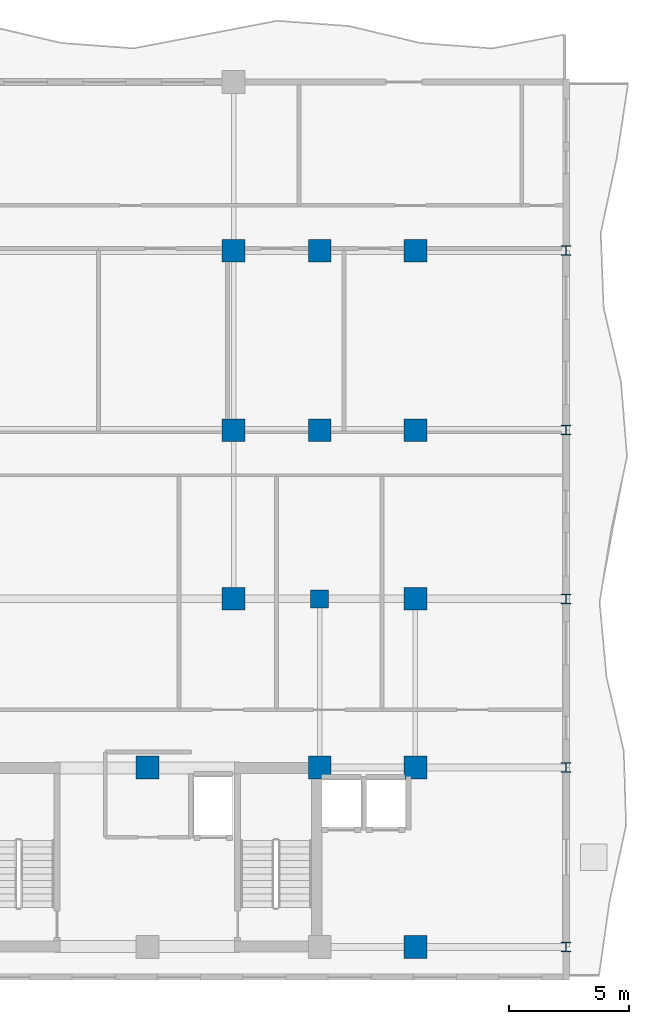
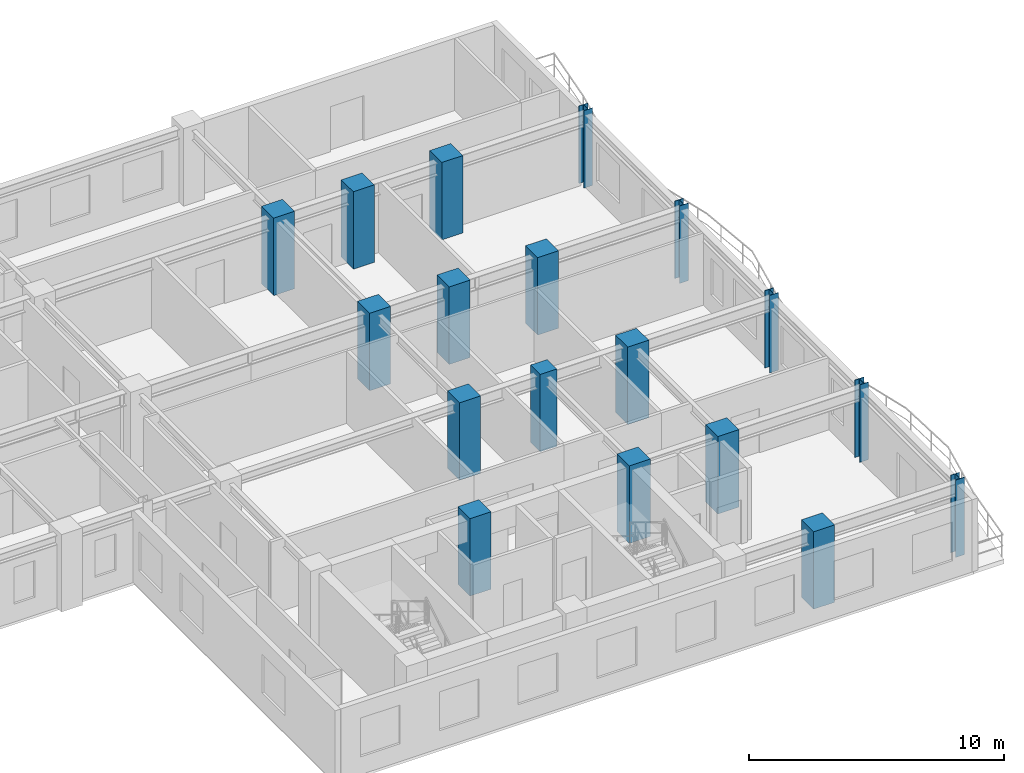
# One storey, part 2 of 13: 18 columns.
"""IFC4 building model written with IfcOpenShell, lengths in metres."""

from ifc_helpers import new_model, si_unit, direction, frame, origin, origin_2d, place, context, subcontext, project, spatial, rectangle, i_section, extrude, source, transform, mapped, material, material_profile, profile_set, type_object, element, save


model = new_model("IFC4")

# Units and contexts
model_context = context("Model", 3, precision=1e-05, world=origin(), true_north=direction((0.0, 1.0)))
body_context = subcontext(model_context, "Body", "Model", "MODEL_VIEW")
ifc_project = project(units=[si_unit("LENGTHUNIT", "METRE"), si_unit("AREAUNIT", "SQUARE_METRE"), si_unit("VOLUMEUNIT", "CUBIC_METRE"), si_unit("PLANEANGLEUNIT", "RADIAN"), si_unit("MASSUNIT", "GRAM", prefix="KILO")], contexts=[model_context])

# Site, building, storey
site_placement = place(None, origin())
site = spatial("IfcSite", under=ifc_project, at=site_placement, CompositionType="ELEMENT")
building_placement = place(site_placement, origin())
building = spatial("IfcBuilding", under=site, at=building_placement, Name="Kaliganga Portal Commons", CompositionType="ELEMENT")
storey_placement = place(building_placement, frame((0.0, 0.0, 209.199951171875)))
storey = spatial("IfcBuildingStorey", under=building, at=storey_placement, Name="L53", CompositionType="ELEMENT", Elevation=209.199951171875)

# Columns
ifc_material_1 = material(Name="Concrete C60/75", Category="concrete")
ifc_material_profile_1 = material_profile(ifc_material_1, rectangle(XDim=0.75, YDim=0.75, at=origin_2d()), Name="RC 750x750")
ifc_profile_set_1 = profile_set([ifc_material_profile_1], Name="Concrete C60/75")
column_type_1 = type_object("IfcColumnType", Name="COL-PILASTER-RC", PredefinedType="PILASTER", material=ifc_profile_set_1)
shared_shape_1 = source(origin(), body_context, "Body", "SweptSolid", [
    extrude(rectangle(XDim=0.75, YDim=0.75, at=origin_2d()), origin(), (0.0, 0.0, 1.0), 3.699951171875),
])
column_placement = place(storey_placement, frame((50.39990234375, 21.60009765625, 0.0), z_axis=(0.0, 0.0, 1.0), x_axis=(1.0, 0.0, 0.0)))
element("IfcColumn", 1, at=column_placement, inside=storey, type_object=column_type_1, Name="Column CP-01 L53", PredefinedType="PILASTER", context=body_context, shape_type="MappedRepresentation", body=[
    mapped(shared_shape_1, transform((0.0, 0.0, 0.0), x_axis=(1.0, 0.0, 0.0), y_axis=(0.0, 1.0, 0.0), z_axis=(0.0, 0.0, 1.0), scale=1.0)),
])
ifc_material_2 = material(Name="Concrete C50/60", Category="concrete")
ifc_material_profile_2 = material_profile(ifc_material_2, rectangle(XDim=0.949951171875, YDim=0.949951171875, at=origin_2d()), Name="RC 950x950")
ifc_profile_set_2 = profile_set([ifc_material_profile_2], Name="Concrete C50/60")
column_type_2 = type_object("IfcColumnType", Name="COL-MEGA-Z4", PredefinedType="COLUMN", material=ifc_profile_set_2)
shared_shape_2 = source(origin(), body_context, "Body", "SweptSolid", [
    extrude(rectangle(XDim=0.949951171875, YDim=0.949951171875, at=origin_2d()), origin(), (0.0, 0.0, 1.0), 3.699951171875),
])
for number, where, z_axis, x_axis, name in (
    (2, (46.800048828125, 21.60009765625, 0.0), (0.0, 0.0, 1.0), (1.0, 0.0, 0.0), "Column MC-05 L53"),
    (3, (46.800048828125, 28.64990234375, 0.0), (0.0, 0.0, 1.0), (1.0, 0.0, 0.0), "Column MC-05 L53"),
    (4, (46.800048828125, 36.14990234375, 0.0), (0.0, 0.0, 1.0), (1.0, 0.0, 0.0), "Column MC-05 L53"),
    (5, (43.199951171875, 14.550048828125, 0.0), (0.0, 0.0, 1.0), (1.0, 0.0, 0.0), "Column MC-05 L53"),
    (6, (50.39990234375, 14.550048828125, 0.0), (0.0, 0.0, 1.0), (1.0, 0.0, 0.0), "Column MC-05 L53"),
    (7, (50.39990234375, 28.64990234375, 0.0), (0.0, 0.0, 1.0), (1.0, 0.0, 0.0), "Column MC-05 L53"),
    (8, (50.39990234375, 36.14990234375, 0.0), (0.0, 0.0, 1.0), (1.0, 0.0, 0.0), "Column MC-05 L53"),
    (9, (54.39990234375, 7.050048828125, 0.0), (0.0, 0.0, 1.0), (1.0, 0.0, 0.0), "Column MC-05 L53"),
    (10, (54.39990234375, 14.550048828125, 0.0), (0.0, 0.0, 1.0), (1.0, 0.0, 0.0), "Column MC-05 L53"),
    (11, (54.39990234375, 21.60009765625, 0.0), (0.0, 0.0, 1.0), (1.0, 0.0, 0.0), "Column MC-05 L53"),
    (12, (54.39990234375, 28.64990234375, 0.0), (0.0, 0.0, 1.0), (1.0, 0.0, 0.0), "Column MC-05 L53"),
    (13, (54.39990234375, 36.14990234375, 0.0), (0.0, 0.0, 1.0), (1.0, 0.0, 0.0), "Column MC-05 L53"),
):
    element("IfcColumn", number, at=place(storey_placement, frame(where, z_axis=z_axis, x_axis=x_axis)), inside=storey, type_object=column_type_2, Name=name, PredefinedType="COLUMN", context=body_context, shape_type="MappedRepresentation", body=[
        mapped(shared_shape_2, transform((0.0, 0.0, 0.0), x_axis=(1.0, 0.0, 0.0), y_axis=(0.0, 1.0, 0.0), z_axis=(0.0, 0.0, 1.0), scale=1.0)),
    ])
ifc_material_3 = material(Name="Structural steel S355J2", Category="steel")
ifc_material_profile_3 = material_profile(ifc_material_3, i_section(OverallWidth=0.39892578125, OverallDepth=0.39990234375, WebThickness=0.017333984375, FlangeThickness=0.0234375, FilletRadius=0.014892578125, at=origin_2d()), Name="HD 400x287")
ifc_profile_set_3 = profile_set([ifc_material_profile_3], Name="Structural steel S355J2 wide-flange")
column_type_3 = type_object("IfcColumnType", Name="COL-TUBE-B4", PredefinedType="COLUMN", material=ifc_profile_set_3)
shared_shape_3 = source(origin(), body_context, "Body", "SweptSolid", [
    extrude(i_section(OverallWidth=0.39892578125, OverallDepth=0.39990234375, WebThickness=0.017333984375, FlangeThickness=0.0234375, FilletRadius=0.014892578125, at=origin_2d()), origin(), (0.0, 0.0, 1.0), 3.699951171875),
])
for number, where, z_axis, x_axis, name in (
    (14, (60.699951171875, 7.050048828125, 0.0), (0.0, 0.0, 1.0), (1.0, 0.0, 0.0), "Column TC-04 L53"),
    (15, (60.699951171875, 14.550048828125, 0.0), (0.0, 0.0, 1.0), (1.0, 0.0, 0.0), "Column TC-04 L53"),
    (16, (60.699951171875, 21.60009765625, 0.0), (0.0, 0.0, 1.0), (1.0, 0.0, 0.0), "Column TC-04 L53"),
    (17, (60.699951171875, 28.64990234375, 0.0), (0.0, 0.0, 1.0), (1.0, 0.0, 0.0), "Column TC-04 L53"),
    (18, (60.699951171875, 36.14990234375, 0.0), (0.0, 0.0, 1.0), (1.0, 0.0, 0.0), "Column TC-04 L53"),
):
    element("IfcColumn", number, at=place(storey_placement, frame(where, z_axis=z_axis, x_axis=x_axis)), inside=storey, type_object=column_type_3, Name=name, PredefinedType="COLUMN", context=body_context, shape_type="MappedRepresentation", body=[
        mapped(shared_shape_3, transform((0.0, 0.0, 0.0), x_axis=(1.0, 0.0, 0.0), y_axis=(0.0, 1.0, 0.0), z_axis=(0.0, 0.0, 1.0), scale=1.0)),
    ])

save(model, "model.ifc")
